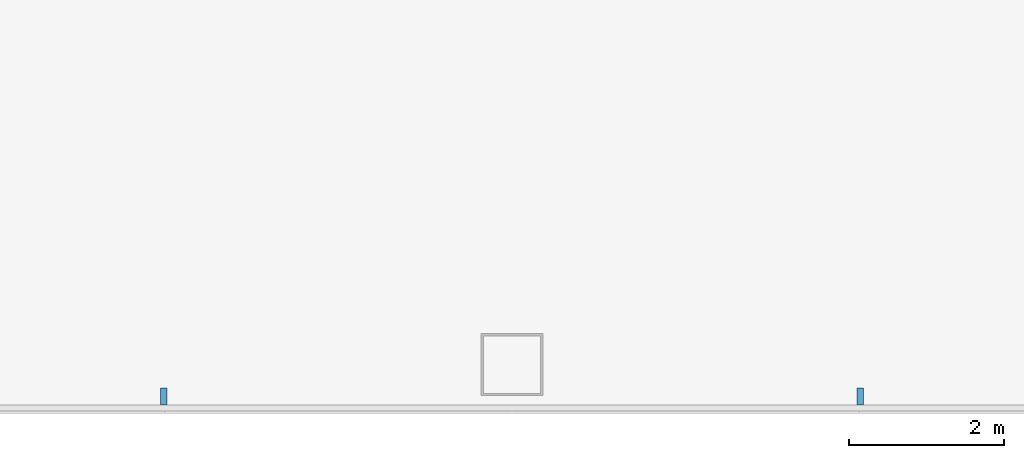
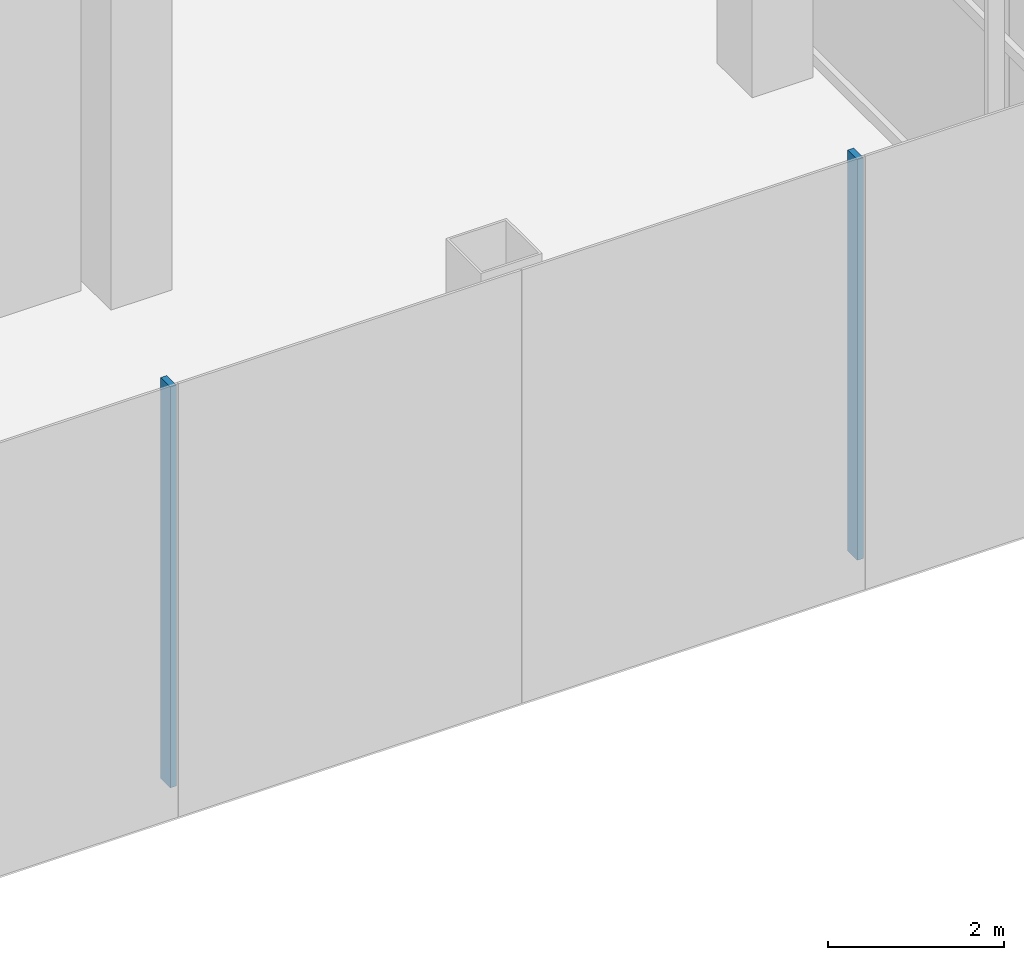
# One storey, part 11 of 33: 2 members, 1 element without a shape of its own.
"""IFC4 building model written with IfcOpenShell, lengths in metres."""

from ifc_helpers import new_model, si_unit, direction, frame, origin, origin_2d, place, context, subcontext, project, spatial, rectangle, extrude, material, layer, layer_set, material_profile, profile_set, type_object, element, aggregate, save


model = new_model("IFC4")

# Units and contexts
model_context = context("Model", 3, precision=1e-05, world=origin(), true_north=direction((0.0, 1.0)))
body_context = subcontext(model_context, "Body", "Model", "MODEL_VIEW")
ifc_project = project(units=[si_unit("LENGTHUNIT", "METRE"), si_unit("AREAUNIT", "SQUARE_METRE"), si_unit("VOLUMEUNIT", "CUBIC_METRE"), si_unit("PLANEANGLEUNIT", "RADIAN"), si_unit("MASSUNIT", "GRAM", prefix="KILO")], contexts=[model_context])

# Site, building, storey
site_placement = place(None, origin())
site = spatial("IfcSite", under=ifc_project, at=site_placement, CompositionType="ELEMENT")
building_placement = place(site_placement, origin())
building = spatial("IfcBuilding", under=site, at=building_placement, Name="Shamsa Quay Exchange Towers", CompositionType="ELEMENT")
storey_placement = place(building_placement, frame((0.0, 0.0, 6.5)))
storey = spatial("IfcBuildingStorey", under=building, at=storey_placement, Name="L01", CompositionType="ELEMENT", Elevation=6.5)

# Curtain wall, members
ifc_material = material(Name="Aluminium EN AW-6063 T6, black anodised", Category="aluminium")
ifc_layer = layer(ifc_material, 0.33203125)
ifc_layer_set = layer_set([ifc_layer], Name="CW-3 PODIUM SHOPFRONT GLAZING")
curtain_wall_type = type_object("IfcCurtainWallType", Name="CW-3 PODIUM SHOPFRONT GLAZING", PredefinedType="NOTDEFINED", material=ifc_layer_set)
curtain_wall_placement = place(storey_placement, origin())
curtain_wall = element("IfcCurtainWall", 1, at=curtain_wall_placement, inside=storey, type_object=curtain_wall_type, Name="CW3 PODIUM-L01-F03", PredefinedType="NOTDEFINED")
ifc_material_profile = material_profile(ifc_material, rectangle(XDim=0.219970703125, YDim=0.080078125, at=origin_2d()), Name="MU80x220")
ifc_profile_set = profile_set([ifc_material_profile], Name="Aluminium EN AW-6063 T6, black anodised")
member_type = type_object("IfcMemberType", Name="CW3 MULLION 80x220", PredefinedType="MULLION", material=ifc_profile_set)
member_1_placement = place(storey_placement, frame((49.5, -38.06005859375, 0.0), z_axis=(0.0, 0.0, 1.0), x_axis=(0.0, 1.0, 0.0)))
member_1 = element("IfcMember", 2, at=member_1_placement, type_object=member_type, Name="CW3 mullion", PredefinedType="MULLION", context=body_context, shape_type="SweptSolid", body=[
    extrude(rectangle(XDim=0.219970703125, YDim=0.080078125, at=origin_2d()), origin(), (0.0, 0.0, 1.0), 5.550048828125),
])
member_2_placement = place(storey_placement, frame((58.5, -38.06005859375, 0.0), z_axis=(0.0, 0.0, 1.0), x_axis=(0.0, 1.0, 0.0)))
member_2 = element("IfcMember", 3, at=member_2_placement, type_object=member_type, Name="CW3 mullion", PredefinedType="MULLION", context=body_context, shape_type="SweptSolid", body=[
    extrude(rectangle(XDim=0.219970703125, YDim=0.080078125, at=origin_2d()), origin(), (0.0, 0.0, 1.0), 5.550048828125),
])
aggregate(curtain_wall, [member_1, member_2])

save(model, "model.ifc")
